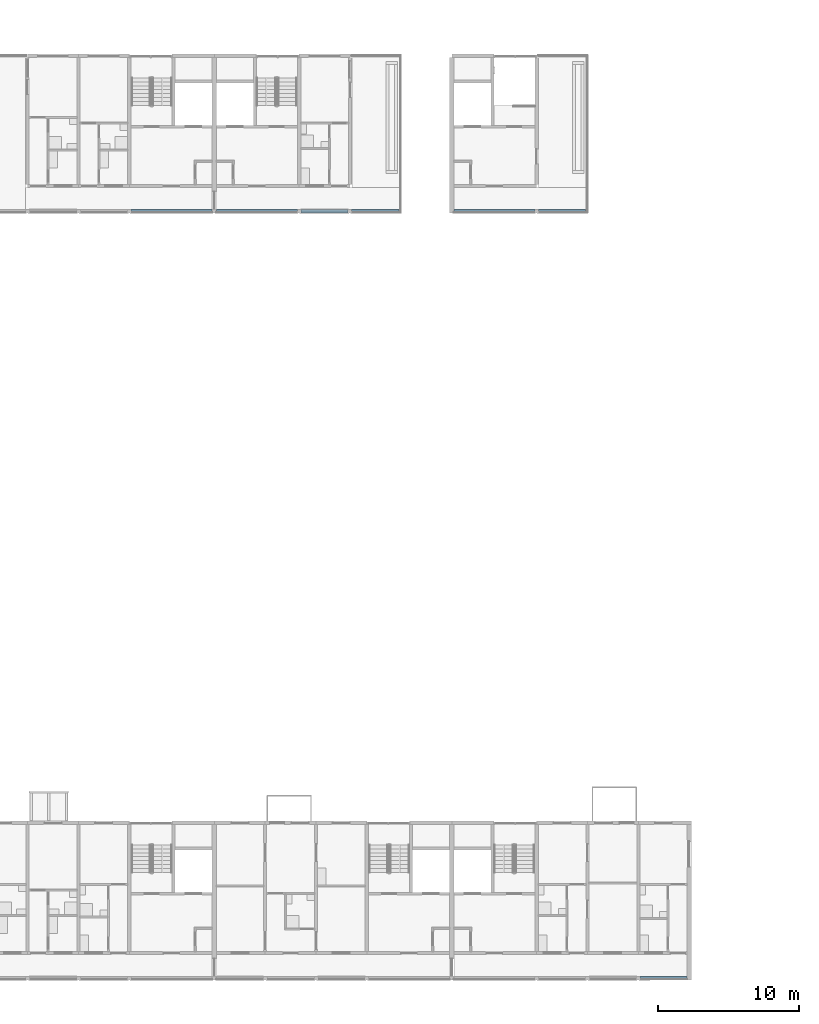
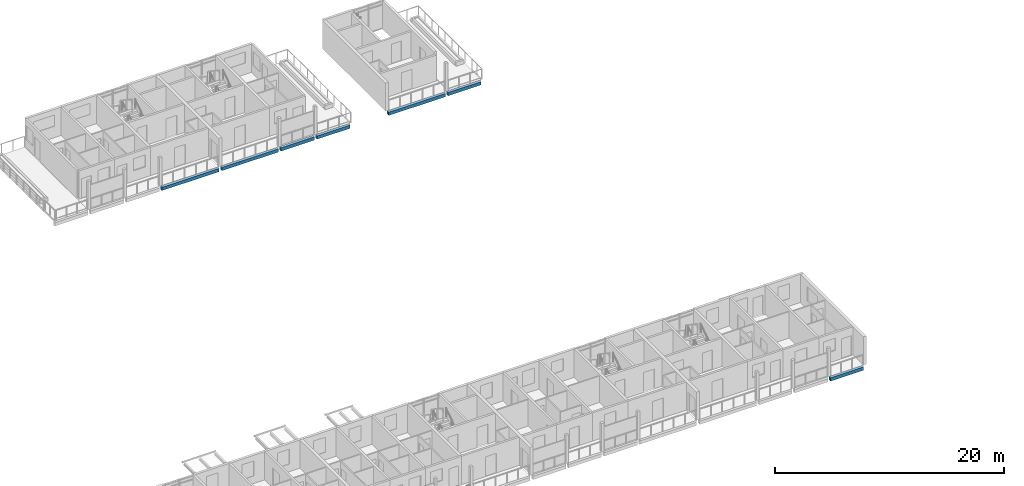
# One storey, part 10 of 94: 7 beams.
"""IFC4 building model written with IfcOpenShell, lengths in metres."""

from ifc_helpers import new_model, si_unit, direction, frame, origin, origin_2d, place, context, subcontext, project, spatial, rectangle, extrude, material, material_profile, profile_set, type_object, element, save


model = new_model("IFC4")

# Units and contexts
model_context = context("Model", 3, precision=1e-05, world=origin(), true_north=direction((0.0, 1.0)))
body_context = subcontext(model_context, "Body", "Model", "MODEL_VIEW")
ifc_project = project(units=[si_unit("LENGTHUNIT", "METRE"), si_unit("AREAUNIT", "SQUARE_METRE"), si_unit("VOLUMEUNIT", "CUBIC_METRE"), si_unit("PLANEANGLEUNIT", "RADIAN"), si_unit("MASSUNIT", "GRAM", prefix="KILO")], contexts=[model_context])

# Site, building, storey
site_placement = place(None, origin())
site = spatial("IfcSite", under=ifc_project, at=site_placement, CompositionType="ELEMENT")
building_placement = place(site_placement, origin())
building = spatial("IfcBuilding", under=site, at=building_placement, Name="Ridgestep Commons", CompositionType="ELEMENT")
storey_placement = place(building_placement, frame((0.0, 0.0, 24.0)))
storey = spatial("IfcBuildingStorey", under=building, at=storey_placement, Name="L08", CompositionType="ELEMENT", Elevation=24.0)

# Beams
ifc_material = material(Name="Precast concrete C40/50", Category="concrete")
ifc_material_profile = material_profile(ifc_material, rectangle(XDim=0.25, YDim=0.35009765625, at=origin_2d()), Name="PC 250x350")
ifc_profile_set = profile_set([ifc_material_profile], Name="Precast concrete C40/50")
beam_type = type_object("IfcBeamType", Name="Loggia edge beam 250 x 350", PredefinedType="SPANDREL", material=ifc_profile_set)
beam_1_placement = place(storey_placement, frame((109.324951171875, 11.875, -0.375), z_axis=(1.0, 0.0, 0.0), x_axis=(0.0, 1.0, 0.0)))
element("IfcBeam", 1, at=beam_1_placement, inside=storey, type_object=beam_type, Name="Loggia edge beam A6T1 L08", PredefinedType="SPANDREL", context=body_context, shape_type="SweptSolid", body=[
    extrude(rectangle(XDim=0.25, YDim=0.35009765625, at=origin_2d()), origin(), (0.0, 0.0, 1.0), 3.324951171875),
])
beam_2_placement = place(storey_placement, frame((73.324951171875, 66.125, -0.375), z_axis=(1.0, 0.0, 0.0), x_axis=(0.0, 1.0, 0.0)))
element("IfcBeam", 2, at=beam_2_placement, inside=storey, type_object=beam_type, Name="Loggia edge beam B4C L08", PredefinedType="SPANDREL", context=body_context, shape_type="SweptSolid", body=[
    extrude(rectangle(XDim=0.25, YDim=0.35009765625, at=origin_2d()), origin(), (0.0, 0.0, 1.0), 5.72509765625),
])
beam_3_placement = place(storey_placement, frame((79.35009765625, 66.125, -0.375), z_axis=(1.0, 0.0, 0.0), x_axis=(0.0, 1.0, 0.0)))
element("IfcBeam", 3, at=beam_3_placement, inside=storey, type_object=beam_type, Name="Loggia edge beam B5C L08", PredefinedType="SPANDREL", context=body_context, shape_type="SweptSolid", body=[
    extrude(rectangle(XDim=0.25, YDim=0.35009765625, at=origin_2d()), origin(), (0.0, 0.0, 1.0), 5.724853515625),
])
beam_4_placement = place(storey_placement, frame((85.324951171875, 66.125, -0.375), z_axis=(1.0, 0.0, 0.0), x_axis=(0.0, 1.0, 0.0)))
element("IfcBeam", 4, at=beam_4_placement, inside=storey, type_object=beam_type, Name="Loggia edge beam B5T3 L08", PredefinedType="SPANDREL", context=body_context, shape_type="SweptSolid", body=[
    extrude(rectangle(XDim=0.25, YDim=0.35009765625, at=origin_2d()), origin(), (0.0, 0.0, 1.0), 3.35009765625),
])
beam_5_placement = place(storey_placement, frame((88.925048828125, 66.125, -0.375), z_axis=(1.0, 0.0, 0.0), x_axis=(0.0, 1.0, 0.0)))
element("IfcBeam", 5, at=beam_5_placement, inside=storey, type_object=beam_type, Name="Loggia edge beam B5T2 L08", PredefinedType="SPANDREL", context=body_context, shape_type="SweptSolid", body=[
    extrude(rectangle(XDim=0.25, YDim=0.35009765625, at=origin_2d()), origin(), (0.0, 0.0, 1.0), 3.349853515625),
])
beam_6_placement = place(storey_placement, frame((96.14990234375, 66.125, -0.375), z_axis=(1.0, 0.0, 0.0), x_axis=(0.0, 1.0, 0.0)))
element("IfcBeam", 6, at=beam_6_placement, inside=storey, type_object=beam_type, Name="Loggia edge beam B6C L08", PredefinedType="SPANDREL", context=body_context, shape_type="SweptSolid", body=[
    extrude(rectangle(XDim=0.25, YDim=0.35009765625, at=origin_2d()), origin(), (0.0, 0.0, 1.0), 5.72509765625),
])
beam_7_placement = place(storey_placement, frame((102.125, 66.125, -0.375), z_axis=(1.0, 0.0, 0.0), x_axis=(0.0, 1.0, 0.0)))
element("IfcBeam", 7, at=beam_7_placement, inside=storey, type_object=beam_type, Name="Loggia edge beam B6T3 L08", PredefinedType="SPANDREL", context=body_context, shape_type="SweptSolid", body=[
    extrude(rectangle(XDim=0.25, YDim=0.35009765625, at=origin_2d()), origin(), (0.0, 0.0, 1.0), 3.35009765625),
])

save(model, "model.ifc")
